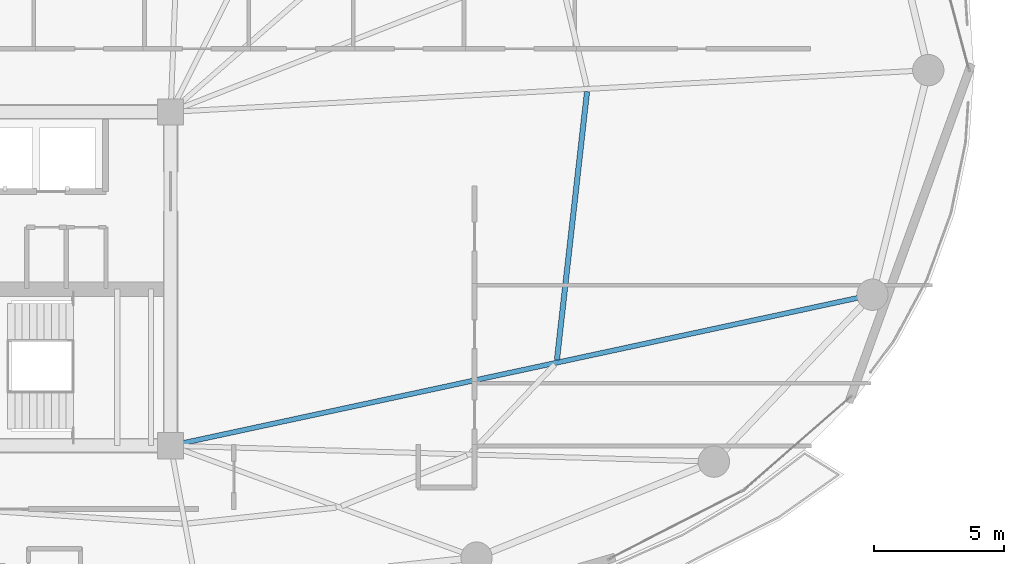
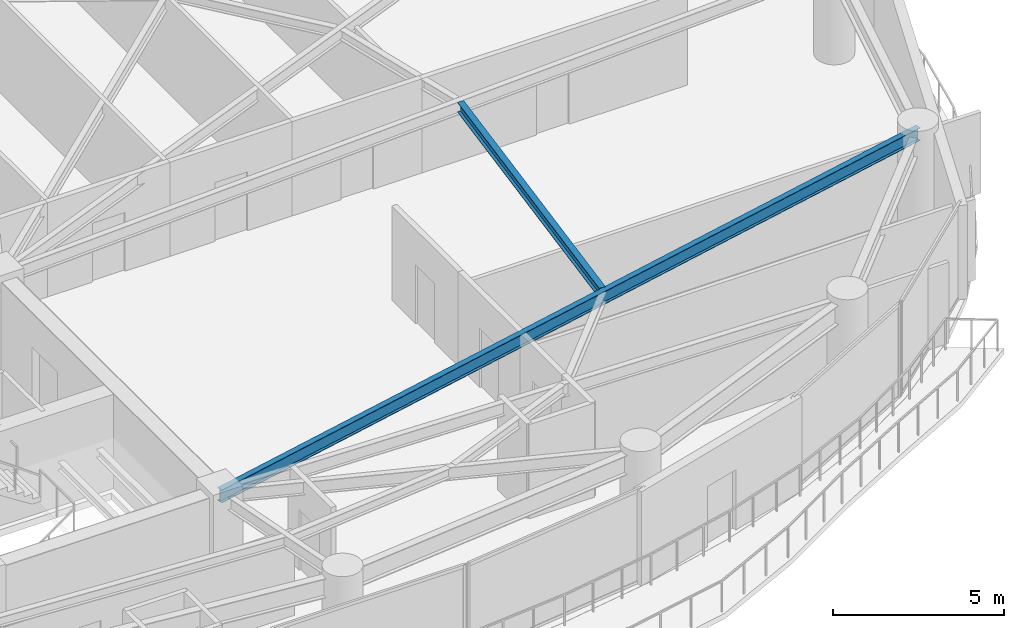
# One storey, part 12 of 28: 2 beams.
"""IFC4 building model written with IfcOpenShell, lengths in metres."""

import ifcopenshell
import ifcopenshell.guid

model = None  # the IFC model being written
_history = None  # IfcOwnerHistory: only IFC2X3 demands one
_inside = {}  # id of a spatial element -> (the spatial element, [elements in it])
_under = {}  # id of a project, library or spatial element -> (it, [spatial elements below it])
_declared = {}  # id of a project -> (the project, [libraries it declares])
_typed = {}  # id of a type object -> (the type object, [elements of that type])
_made_of = {}  # id of a material, layer set ... -> (it, [elements and type objects made of it])


def new_model(schema):
    """Start an empty IFC model of exactly this schema.

    Asked for "IFC4X3", IfcOpenShell would pick the latest addendum, in which some entities
    have other attributes; the version numbers below select the first issue.
    IFC2X3 requires an IfcOwnerHistory on every rooted entity: one is made here for all.
    """
    global model, _history
    if schema == "IFC4X3":
        model = ifcopenshell.file(schema_version=(4, 3, 0, 0))
    else:
        model = ifcopenshell.file(schema=schema)
    _inside.clear()
    _under.clear()
    _declared.clear()
    _typed.clear()
    _made_of.clear()
    _history = None
    if model.schema == "IFC2X3":
        org = make("IfcOrganization", Name="unknown")
        user = make(
            "IfcPersonAndOrganization",
            ThePerson=make("IfcPerson", FamilyName="unknown"),
            TheOrganization=org,
        )
        app = make(
            "IfcApplication",
            ApplicationDeveloper=org,
            Version="unknown",
            ApplicationFullName="unknown",
            ApplicationIdentifier="unknown",
        )
        _history = make(
            "IfcOwnerHistory",
            OwningUser=user,
            OwningApplication=app,
            ChangeAction="ADDED",
            CreationDate=0,
        )
    return model


def make(cls, **values):
    """One entity of the class cls with the attributes given. An attribute that is None is left unset."""
    return model.create_entity(
        cls, **{name: value for name, value in values.items() if value is not None}
    )


def rooted(cls, **values):
    """An entity with a GlobalId (a new one), such as an element, a storey or a relation."""
    return make(cls, GlobalId=ifcopenshell.guid.new(), OwnerHistory=_history, **values)


def si_unit(unit_type, name, prefix=None):
    """IfcSIUnit, for example si_unit("LENGTHUNIT", "METRE", prefix="MILLI")."""
    return make("IfcSIUnit", UnitType=unit_type, Prefix=prefix, Name=name)


def assignment(units):
    """IfcUnitAssignment: the units of a project."""
    return None if units is None else make("IfcUnitAssignment", Units=units)


def point(xyz):
    """IfcCartesianPoint."""
    return None if xyz is None else make("IfcCartesianPoint", Coordinates=xyz)


def direction(xyz):
    """IfcDirection."""
    return None if xyz is None else make("IfcDirection", DirectionRatios=xyz)


def frame(location, z_axis=None, x_axis=None):
    """IfcAxis2Placement3D, a coordinate frame: its origin and axes. An axis left out is left unset."""
    return make(
        "IfcAxis2Placement3D",
        Location=point(location),
        Axis=direction(z_axis),
        RefDirection=direction(x_axis),
    )


def frame_2d(location, x_axis=None):
    """IfcAxis2Placement2D, a coordinate frame in the plane: its origin and x axis."""
    return make(
        "IfcAxis2Placement2D", Location=point(location), RefDirection=direction(x_axis)
    )


def origin():
    """The frame at (0, 0, 0) with its axes left unset."""
    return frame((0.0, 0.0, 0.0))


def origin_2d():
    """The frame at (0, 0) in the plane with its x axis left unset."""
    return frame_2d((0.0, 0.0))


def place(relative_to, where):
    """IfcLocalPlacement: puts the frame where relative to a parent placement (None: the world)."""
    return make(
        "IfcLocalPlacement", PlacementRelTo=relative_to, RelativePlacement=where
    )


def context(
    kind, dimensions, precision=None, world=None, true_north=None, identifier=None
):
    """IfcGeometricRepresentationContext, for example the 3D "Model" context."""
    return make(
        "IfcGeometricRepresentationContext",
        ContextIdentifier=identifier,
        ContextType=kind,
        CoordinateSpaceDimension=dimensions,
        Precision=precision,
        WorldCoordinateSystem=world,
        TrueNorth=true_north,
    )


def subcontext(parent, identifier, kind, view, scale=None):
    """IfcGeometricRepresentationSubContext, for example "Body" below "Model"."""
    return make(
        "IfcGeometricRepresentationSubContext",
        ContextIdentifier=identifier,
        ContextType=kind,
        ParentContext=parent,
        TargetScale=scale,
        TargetView=view,
    )


def project(units=None, contexts=None):
    """IfcProject with its units and contexts."""
    return rooted(
        "IfcProject",
        Name="project",
        RepresentationContexts=contexts,
        UnitsInContext=assignment(units),
    )


def spatial(cls, under=None, at=None, **own):
    """A site, building, storey or space (cls), placed at a placement, below another one or the project."""
    s = rooted(cls, ObjectPlacement=at, **own)
    if under is not None:
        _under.setdefault(under.id(), (under, []))[1].append(s)
    return s


def profile(cls, at=None, kind="AREA", **sizes):
    """A parametric profile (cls). Its sizes go by their IFC names, for example OverallWidth=200.0."""
    return make(cls, ProfileType=kind, Position=at, **sizes)


def i_section(**sizes):
    """IfcIShapeProfileDef."""
    return profile("IfcIShapeProfileDef", **sizes)


def extrude(swept, where, along, depth):
    """IfcExtrudedAreaSolid: the profile swept, set in the frame where, extruded along a direction by depth."""
    return make(
        "IfcExtrudedAreaSolid",
        SweptArea=swept,
        Position=where,
        ExtrudedDirection=direction(along),
        Depth=depth,
    )


def shape(context_of_items, identifier, shape_type, items):
    """IfcShapeRepresentation: the items that make up one representation, for example the "Body"."""
    return make(
        "IfcShapeRepresentation",
        ContextOfItems=context_of_items,
        RepresentationIdentifier=identifier,
        RepresentationType=shape_type,
        Items=items,
    )


def material(Name=None, Category=None):
    """IfcMaterial."""
    return make("IfcMaterial", Name=Name, Category=Category)


def material_profile(
    of_material, cross_section, Name=None, Category=None, Priority=None
):
    """IfcMaterialProfile: a cross section and its material."""
    return make(
        "IfcMaterialProfile",
        Name=Name,
        Material=of_material,
        Profile=cross_section,
        Priority=Priority,
        Category=Category,
    )


def profile_set(profiles, Name=None, composite=None):
    """IfcMaterialProfileSet."""
    return make(
        "IfcMaterialProfileSet",
        Name=Name,
        MaterialProfiles=profiles,
        CompositeProfile=composite,
    )


def made_of(thing, what):
    """Note that an element or type object is made of a material, layer set ...; save() writes the relation."""
    if what is not None:
        _made_of.setdefault(what.id(), (what, []))[1].append(thing)
    return thing


def type_object(cls, material=None, **own):
    """A type object (cls), such as IfcWallType, which elements share."""
    return made_of(rooted(cls, **own), material)


def element(
    cls,
    number,
    at=None,
    inside=None,
    cuts=None,
    type_object=None,
    material=None,
    context=None,
    identifier="Body",
    shape_type=None,
    held_by="IfcProductDefinitionShape",
    body=None,
    shapes=None,
    **own,
):
    """One element of the class cls, such as IfcWall. Its Tag is "e" and its number.

    at: its placement. inside: the storey or other place that contains it. cuts: it is an
    opening in that element (IfcRelVoidsElement). A single representation is given by context,
    identifier, shape_type and body (its items); several are given by shapes. held_by: the class
    of the entity that holds the representations. save() writes the other relations.
    """
    e = rooted(cls, Tag="e%d" % number, ObjectPlacement=at, **own)
    if body is not None:
        shapes = [shape(context, identifier, shape_type, body)]
    if shapes is not None:
        e.Representation = make(held_by, Representations=shapes)
    if inside is not None:
        _inside.setdefault(inside.id(), (inside, []))[1].append(e)
    if cuts is not None:
        rooted(
            "IfcRelVoidsElement", RelatingBuildingElement=cuts, RelatedOpeningElement=e
        )
    if type_object is not None:
        _typed.setdefault(type_object.id(), (type_object, []))[1].append(e)
    return made_of(e, material)


def aggregate(whole, parts):
    """IfcRelAggregates: a whole, such as a stair, and the parts it consists of."""
    return rooted("IfcRelAggregates", RelatingObject=whole, RelatedObjects=parts)


def save(model, path):
    """Write the relations noted so far, then the file.

    IfcRelAggregates (storeys below a building ...), IfcRelContainedInSpatialStructure (elements
    in a storey), IfcRelDefinesByType, IfcRelAssociatesMaterial and IfcRelDeclares: one each for
    every whole, place, type object, material and project.
    """
    for whole, parts in _under.values():
        aggregate(whole, parts)
    for where, things in _inside.values():
        rooted(
            "IfcRelContainedInSpatialStructure",
            RelatedElements=things,
            RelatingStructure=where,
        )
    for kind, things in _typed.values():
        rooted("IfcRelDefinesByType", RelatedObjects=things, RelatingType=kind)
    for what, things in _made_of.values():
        rooted("IfcRelAssociatesMaterial", RelatedObjects=things, RelatingMaterial=what)
    for by, libraries in _declared.values():
        rooted("IfcRelDeclares", RelatingContext=by, RelatedDefinitions=libraries)
    model.write(path)


model = new_model("IFC4")

# Units and contexts
model_context = context("Model", 3, precision=1e-05, world=origin(), true_north=direction((0.0, 1.0)))
body_context = subcontext(model_context, "Body", "Model", "MODEL_VIEW")
ifc_project = project(units=[si_unit("LENGTHUNIT", "METRE"), si_unit("AREAUNIT", "SQUARE_METRE"), si_unit("VOLUMEUNIT", "CUBIC_METRE"), si_unit("PLANEANGLEUNIT", "RADIAN"), si_unit("MASSUNIT", "GRAM", prefix="KILO")], contexts=[model_context])

# Site, building, storey
site_placement = place(None, origin())
site = spatial("IfcSite", under=ifc_project, at=site_placement, CompositionType="ELEMENT")
building_placement = place(site_placement, origin())
building = spatial("IfcBuilding", under=site, at=building_placement, Name="Kazevale Care Tower and Concert Hall", CompositionType="ELEMENT")
storey_placement = place(building_placement, frame((0.0, 0.0, 142.199951171875)))
storey = spatial("IfcBuildingStorey", under=building, at=storey_placement, Name="L37", CompositionType="ELEMENT", Elevation=142.199951171875)

# Beams
ifc_material = material(Name="Steel ASTM A572 Gr 50", Category="steel")
ifc_material_profile_1 = material_profile(ifc_material, i_section(OverallWidth=0.19091796875, OverallDepth=0.4599609375, WebThickness=0.010009765625, FlangeThickness=0.01611328125, at=origin_2d()), Name="W460x82")
ifc_profile_set_1 = profile_set([ifc_material_profile_1], Name="Steel ASTM A572 Gr 50")
beam_type_1 = type_object("IfcBeamType", Name="Radial Floor Beam W460x82", PredefinedType="BEAM", material=ifc_profile_set_1)
beam_1_placement = place(storey_placement, frame((44.0, 23.60009765625, 3.130126953125), z_axis=(0.97762801725, 0.210341293823, 0.0), x_axis=(-0.210341293823, 0.97762801725, 0.0)))
element("IfcBeam", 1, at=beam_1_placement, inside=storey, type_object=beam_type_1, Name="beam:L37:rad:16", PredefinedType="BEAM", context=body_context, shape_type="SweptSolid", body=[
    extrude(i_section(OverallWidth=0.19091796875, OverallDepth=0.4599609375, WebThickness=0.010009765625, FlangeThickness=0.01611328125, at=origin_2d()), origin(), (0.0, 0.0, 1.0), 27.525634765625),
])
ifc_material_profile_2 = material_profile(ifc_material, i_section(OverallWidth=0.205078125, OverallDepth=0.35400390625, WebThickness=0.009521484375, FlangeThickness=0.016845703125, at=origin_2d()), Name="W360x79")
ifc_profile_set_2 = profile_set([ifc_material_profile_2], Name="Steel ASTM A572 Gr 50")
beam_type_2 = type_object("IfcBeamType", Name="Secondary Floor Joist W360x79", PredefinedType="JOIST", material=ifc_profile_set_2)
beam_2_placement = place(storey_placement, frame((58.81201171875, 26.888916015625, 3.18310546875), z_axis=(0.111485011105, 0.993766115491, 0.0), x_axis=(-0.993766115491, 0.111485011105, 0.0)))
element("IfcBeam", 2, at=beam_2_placement, inside=storey, type_object=beam_type_2, Name="beam:L37:joist:16", PredefinedType="JOIST", context=body_context, shape_type="SweptSolid", body=[
    extrude(i_section(OverallWidth=0.205078125, OverallDepth=0.35400390625, WebThickness=0.009521484375, FlangeThickness=0.016845703125, at=origin_2d()), origin(), (0.0, 0.0, 1.0), 10.3515625),
])

save(model, "model.ifc")
